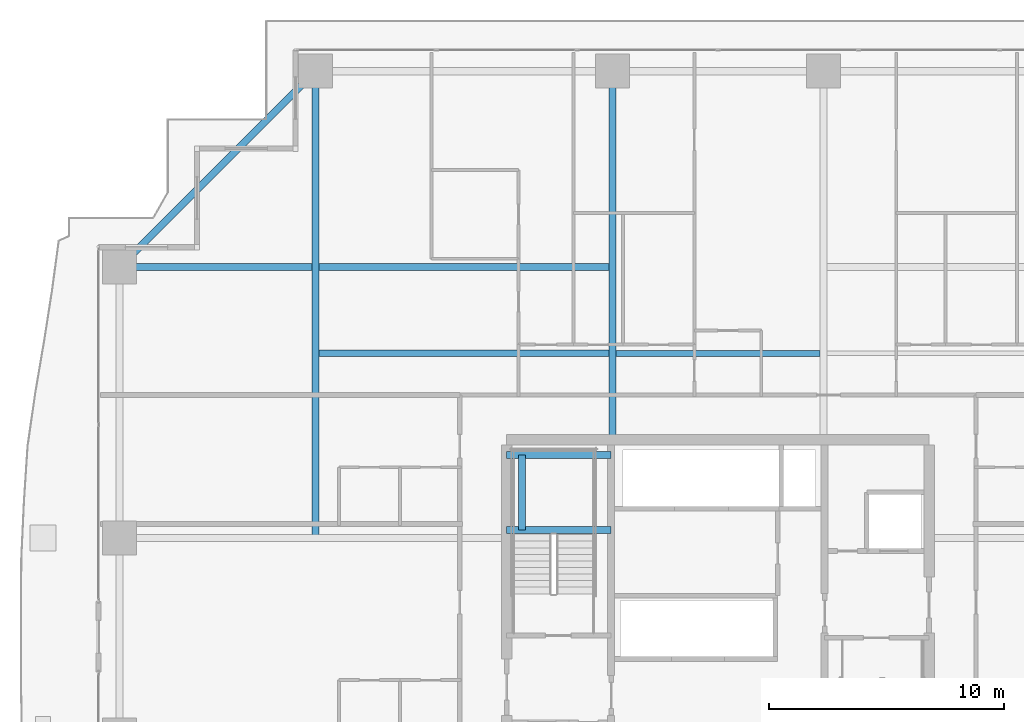
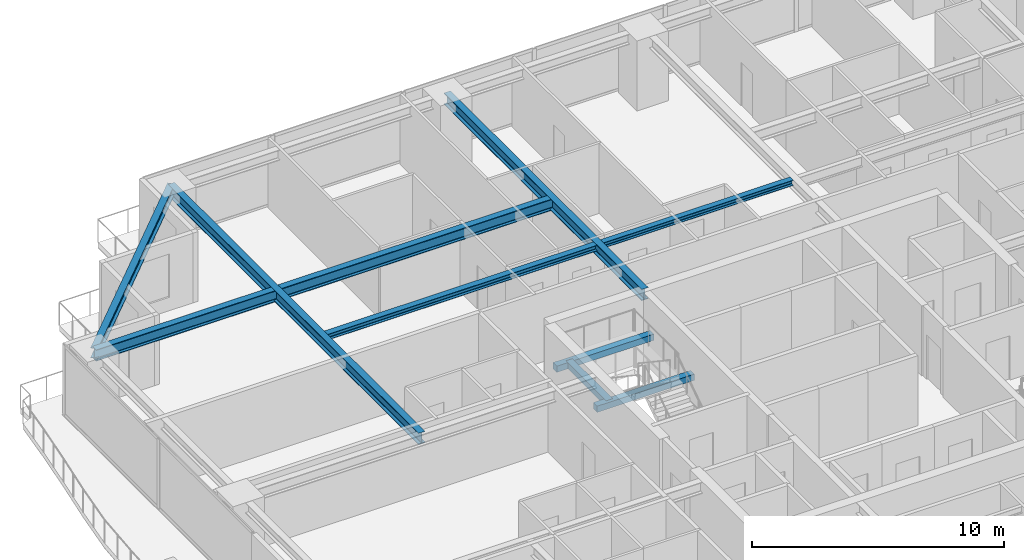
# One storey, part 19 of 40: 9 beams.
"""IFC4 building model written with IfcOpenShell, lengths in metres."""

from ifc_helpers import new_model, si_unit, direction, frame, origin, origin_2d, place, context, subcontext, project, spatial, rectangle, i_section, extrude, source, transform, mapped, material, material_profile, profile_set, type_object, element, save


model = new_model("IFC4")

# Units and contexts
model_context = context("Model", 3, precision=1e-05, world=origin(), true_north=direction((0.0, 1.0)))
body_context = subcontext(model_context, "Body", "Model", "MODEL_VIEW")
ifc_project = project(units=[si_unit("LENGTHUNIT", "METRE"), si_unit("AREAUNIT", "SQUARE_METRE"), si_unit("VOLUMEUNIT", "CUBIC_METRE"), si_unit("PLANEANGLEUNIT", "RADIAN"), si_unit("MASSUNIT", "GRAM", prefix="KILO")], contexts=[model_context])

# Site, building, storey
site_placement = place(None, origin())
site = spatial("IfcSite", under=ifc_project, at=site_placement, CompositionType="ELEMENT")
building_placement = place(site_placement, origin())
building = spatial("IfcBuilding", under=site, at=building_placement, Name="Serunith Strait Residences", CompositionType="ELEMENT")
storey_placement = place(building_placement, frame((0.0, 0.0, 105.449951171875)))
storey = spatial("IfcBuildingStorey", under=building, at=storey_placement, Name="L26", CompositionType="ELEMENT", Elevation=105.449951171875)

# Beams
ifc_material_1 = material(Name="Steel S355J2", Category="steel")
ifc_material_profile_1 = material_profile(ifc_material_1, i_section(OverallWidth=0.300048828125, OverallDepth=0.550048828125, WebThickness=0.014892578125, FlangeThickness=0.029052734375, FilletRadius=0.027099609375, at=origin_2d()), Name="HEB 550")
ifc_profile_set_1 = profile_set([ifc_material_profile_1], Name="Steel S355J2")
beam_type_1 = type_object("IfcBeamType", Name="BM-HEB550", PredefinedType="BEAM", material=ifc_profile_set_1)
shared_shape_1 = source(origin(), body_context, "Body", "SweptSolid", [
    extrude(i_section(OverallWidth=0.300048828125, OverallDepth=0.550048828125, WebThickness=0.014892578125, FlangeThickness=0.029052734375, FilletRadius=0.027099609375, at=origin_2d()), origin(), (0.0, 0.0, 1.0), 15.699951171875),
])
beam_1_placement = place(storey_placement, frame((27.89990234375, 33.60009765625, 3.112060546875), z_axis=(0.0, 1.0, 0.0), x_axis=(-1.0, 0.0, 0.0)))
element("IfcBeam", 1, at=beam_1_placement, inside=storey, type_object=beam_type_1, Name="L26 Primary Floor Girder TC-N2", PredefinedType="BEAM", context=body_context, shape_type="MappedRepresentation", body=[
    mapped(shared_shape_1, transform((0.0, 0.0, 0.0), scale=1.0)),
])
shared_shape_2 = source(origin(), body_context, "Body", "SweptSolid", [
    extrude(i_section(OverallWidth=0.300048828125, OverallDepth=0.550048828125, WebThickness=0.014892578125, FlangeThickness=0.029052734375, FilletRadius=0.027099609375, at=origin_2d()), origin(), (0.0, 0.0, 1.0), 19.900146484375),
])
beam_2_placement = place(storey_placement, frame((15.25, 29.39990234375, 3.112060546875), z_axis=(0.0, 1.0, 0.0), x_axis=(-1.0, 0.0, 0.0)))
element("IfcBeam", 2, at=beam_2_placement, inside=storey, type_object=beam_type_1, Name="L26 Orthogonal Corner Girder TC-N1", PredefinedType="BEAM", context=body_context, shape_type="MappedRepresentation", body=[
    mapped(shared_shape_2, transform((0.0, 0.0, 0.0), scale=1.0)),
])
shared_shape_3 = source(origin(), body_context, "Body", "SweptSolid", [
    extrude(i_section(OverallWidth=0.300048828125, OverallDepth=0.550048828125, WebThickness=0.014892578125, FlangeThickness=0.029052734375, FilletRadius=0.027099609375, at=origin_2d()), origin(), (0.0, 0.0, 1.0), 21.0),
])
beam_3_placement = place(storey_placement, frame((27.89990234375, 40.949951171875, 3.112060546875), z_axis=(-1.0, 0.0, 0.0), x_axis=(0.0, -1.0, 0.0)))
element("IfcBeam", 3, at=beam_3_placement, inside=storey, type_object=beam_type_1, Name="L26 Orthogonal Corner Girder TC-W4", PredefinedType="BEAM", context=body_context, shape_type="MappedRepresentation", body=[
    mapped(shared_shape_3, transform((0.0, 0.0, 0.0), scale=1.0)),
])
ifc_material_profile_2 = material_profile(ifc_material_1, i_section(OverallWidth=0.300048828125, OverallDepth=0.5, WebThickness=0.014404296875, FlangeThickness=0.028076171875, FilletRadius=0.027099609375, at=origin_2d()), Name="HEB 500")
ifc_profile_set_2 = profile_set([ifc_material_profile_2], Name="Steel S355J2")
beam_type_2 = type_object("IfcBeamType", Name="BM-HEB500", PredefinedType="BEAM", material=ifc_profile_set_2)
shared_shape_4 = source(origin(), body_context, "Body", "SweptSolid", [
    extrude(i_section(OverallWidth=0.300048828125, OverallDepth=0.5, WebThickness=0.014404296875, FlangeThickness=0.028076171875, FilletRadius=0.027099609375, at=origin_2d()), origin(), (0.0, 0.0, 1.0), 11.808837890625),
])
beam_4_placement = place(storey_placement, frame((15.25, 49.300048828125, 3.136962890625), z_axis=(-0.707106781187, -0.707106781187, 0.0), x_axis=(0.707106781187, -0.707106781187, 0.0)))
element("IfcBeam", 4, at=beam_4_placement, inside=storey, type_object=beam_type_2, Name="L26 Perimeter Ring Beam 12", PredefinedType="BEAM", context=body_context, shape_type="MappedRepresentation", body=[
    mapped(shared_shape_4, transform((0.0, 0.0, 0.0), scale=1.0)),
])
ifc_material_profile_3 = material_profile(ifc_material_1, i_section(OverallWidth=0.280029296875, OverallDepth=0.280029296875, WebThickness=0.010498046875, FlangeThickness=0.01806640625, FilletRadius=0.02392578125, at=origin_2d()), Name="HEB 280")
ifc_profile_set_3 = profile_set([ifc_material_profile_3], Name="Steel S355J2")
beam_type_3 = type_object("IfcBeamType", Name="BM-HEB280", PredefinedType="JOIST", material=ifc_profile_set_3)
shared_shape_5 = source(origin(), body_context, "Body", "SweptSolid", [
    extrude(i_section(OverallWidth=0.280029296875, OverallDepth=0.280029296875, WebThickness=0.010498046875, FlangeThickness=0.01806640625, FilletRadius=0.02392578125, at=origin_2d()), origin(), (0.0, 0.0, 1.0), 12.35009765625),
])
beam_5_placement = place(storey_placement, frame((15.39990234375, 37.27490234375, 3.2470703125), z_axis=(1.0, 0.0, 0.0), x_axis=(0.0, 1.0, 0.0)))
element("IfcBeam", 5, at=beam_5_placement, inside=storey, type_object=beam_type_3, Name="L26 Composite Floor Joist 04", PredefinedType="JOIST", context=body_context, shape_type="MappedRepresentation", body=[
    mapped(shared_shape_5, transform((0.0, 0.0, 0.0), scale=1.0)),
])
ifc_material_profile_4 = material_profile(ifc_material_1, i_section(OverallWidth=0.260009765625, OverallDepth=0.260009765625, WebThickness=0.010009765625, FlangeThickness=0.017578125, FilletRadius=0.02392578125, at=origin_2d()), Name="HEB 260")
ifc_profile_set_4 = profile_set([ifc_material_profile_4], Name="Steel S355J2")
beam_type_4 = type_object("IfcBeamType", Name="BM-HEB260", PredefinedType="JOIST", material=ifc_profile_set_4)
shared_shape_6 = source(origin(), body_context, "Body", "SweptSolid", [
    extrude(i_section(OverallWidth=0.260009765625, OverallDepth=0.260009765625, WebThickness=0.010009765625, FlangeThickness=0.017578125, FilletRadius=0.02392578125, at=origin_2d()), origin(), (0.0, 0.0, 1.0), 8.699951171875),
])
beam_6_placement = place(storey_placement, frame((28.050048828125, 37.27490234375, 3.257080078125), z_axis=(1.0, 0.0, 0.0), x_axis=(0.0, 1.0, 0.0)))
element("IfcBeam", 6, at=beam_6_placement, inside=storey, type_object=beam_type_4, Name="L26 Composite Floor Joist 05", PredefinedType="JOIST", context=body_context, shape_type="MappedRepresentation", body=[
    mapped(shared_shape_6, transform((0.0, 0.0, 0.0), scale=1.0)),
])
ifc_material_2 = material(Name="Concrete C60/75", Category="concrete")
ifc_material_profile_5 = material_profile(ifc_material_2, rectangle(XDim=0.300048828125, YDim=0.300048828125, at=origin_2d()), Name="RC 300x300")
ifc_profile_set_5 = profile_set([ifc_material_profile_5], Name="Concrete C60/75")
beam_type_5 = type_object("IfcBeamType", Name="BM-LAND-300x300", PredefinedType="BEAM", material=ifc_profile_set_5)
shared_shape_7 = source(origin(), body_context, "Body", "SweptSolid", [
    extrude(rectangle(XDim=0.300048828125, YDim=0.300048828125, at=origin_2d()), origin(), (0.0, 0.0, 1.0), 4.4501953125),
])
for number, where, z_axis, x_axis, name in (
    (7, (23.39990234375, 29.75, 1.525146484375), (1.0, 0.0, 0.0), (0.0, 1.0, 0.0), "L26 ST-1 Landing Support Beam 1"),
    (8, (23.39990234375, 32.949951171875, 1.525146484375), (1.0, 0.0, 0.0), (0.0, 1.0, 0.0), "L26 ST-1 Landing Support Beam 2"),
):
    element("IfcBeam", number, at=place(storey_placement, frame(where, z_axis=z_axis, x_axis=x_axis)), inside=storey, type_object=beam_type_5, Name=name, PredefinedType="BEAM", context=body_context, shape_type="MappedRepresentation", body=[
        mapped(shared_shape_7, transform((0.0, 0.0, 0.0), scale=1.0)),
    ])
shared_shape_8 = source(origin(), body_context, "Body", "SweptSolid", [
    extrude(rectangle(XDim=0.300048828125, YDim=0.300048828125, at=origin_2d()), origin(), (0.0, 0.0, 1.0), 3.199951171875),
])
beam_7_placement = place(storey_placement, frame((24.050048828125, 29.75, 1.525146484375), z_axis=(0.0, 1.0, 0.0), x_axis=(-1.0, 0.0, 0.0)))
element("IfcBeam", 9, at=beam_7_placement, inside=storey, type_object=beam_type_5, Name="L26 ST-1 Landing Transverse Tie Beam", PredefinedType="BEAM", context=body_context, shape_type="MappedRepresentation", body=[
    mapped(shared_shape_8, transform((0.0, 0.0, 0.0), scale=1.0)),
])

save(model, "model.ifc")
